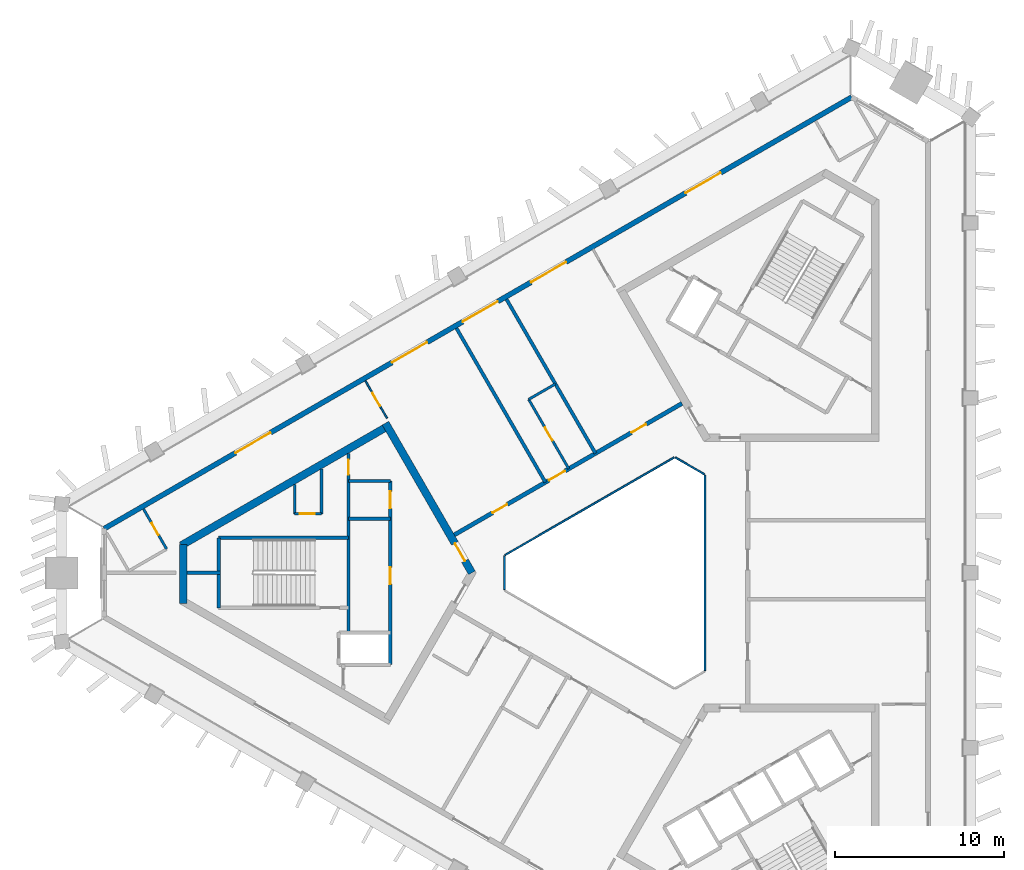
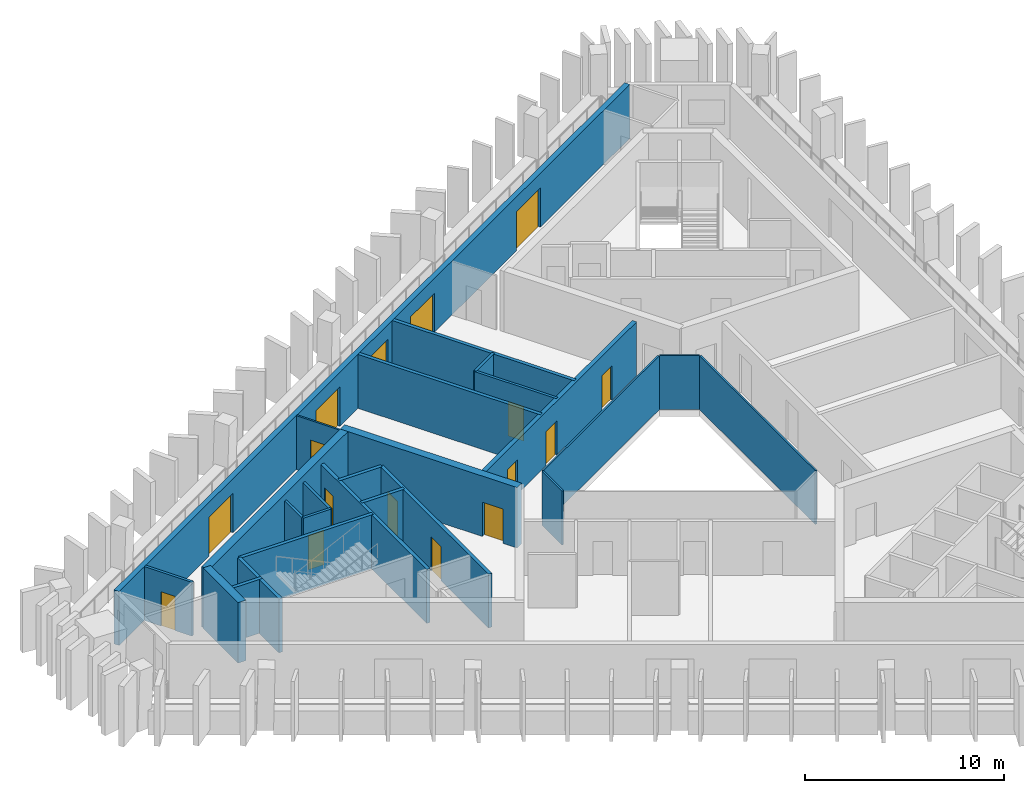
# One storey, part 4 of 9: 25 walls, 16 doors, 16 openings.
"""IFC4 building model written with IfcOpenShell, lengths in metres."""

from ifc_helpers import new_model, si_unit, direction, frame, frame_2d, origin, place, context, subcontext, project, spatial, rectangle, extrude, material, layer, layer_set, type_object, element, fill, save


model = new_model("IFC4")

# Units and contexts
model_context = context("Model", 3, precision=1e-05, world=origin(), true_north=direction((0.0, 1.0)))
body_context = subcontext(model_context, "Body", "Model", "MODEL_VIEW")
ifc_project = project(units=[si_unit("LENGTHUNIT", "METRE"), si_unit("AREAUNIT", "SQUARE_METRE"), si_unit("VOLUMEUNIT", "CUBIC_METRE"), si_unit("PLANEANGLEUNIT", "RADIAN"), si_unit("MASSUNIT", "GRAM", prefix="KILO")], contexts=[model_context])

# Site, building, storey
site_placement = place(None, origin())
site = spatial("IfcSite", under=ifc_project, at=site_placement, CompositionType="ELEMENT")
building_placement = place(site_placement, origin())
building = spatial("IfcBuilding", under=site, at=building_placement, Name="Jabali Bay Hotel Tower and Convention Centre", CompositionType="ELEMENT")
storey_placement = place(building_placement, frame((0.0, 0.0, 213.199951171875)))
storey = spatial("IfcBuildingStorey", under=building, at=storey_placement, Name="L52", CompositionType="ELEMENT", Elevation=213.199951171875)

# Walls
ifc_material_1 = material(Name="Fire-resistant glazing", Category="glass")
ifc_layer_1 = layer(ifc_material_1, 0.10009765625)
ifc_layer_set_1 = layer_set([ifc_layer_1], Name="Fire-resistant glazing")
wall_type_1 = type_object("IfcWallType", Name="Atrium glazed screen 100", PredefinedType="PARTITIONING", material=ifc_layer_set_1)
wall_1_placement = place(storey_placement, frame((79.56005859375, 74.205810546875, 0.0), z_axis=(0.0, 0.0, 1.0), x_axis=(0.0, 1.0, 0.0)))
element("IfcWall", 1, at=wall_1_placement, inside=storey, type_object=wall_type_1, Name="Atrium screen 1 L52", PredefinedType="PARTITIONING", context=body_context, shape_type="SweptSolid", body=[
    extrude(rectangle(XDim=11.58837890625, YDim=0.10009765625, at=frame_2d((5.794189453125, 0.0))), origin(), (0.0, 0.0, 1.0), 3.300048828125),
])
wall_2_placement = place(storey_placement, frame((79.530029296875, 85.84619140625, 0.0), z_axis=(0.0, 0.0, 1.0), x_axis=(-0.866041268327, 0.499972520799, 0.0)))
element("IfcWall", 2, at=wall_2_placement, inside=storey, type_object=wall_type_1, Name="Atrium screen 2 L52", PredefinedType="PARTITIONING", context=body_context, shape_type="SweptSolid", body=[
    extrude(rectangle(XDim=2.0, YDim=0.10009765625, at=frame_2d((1.0, 0.0))), origin(), (0.0, 0.0, 1.0), 3.300048828125),
])
wall_3_placement = place(storey_placement, frame((77.738037109375, 86.84619140625, 0.0), z_axis=(0.0, 0.0, 1.0), x_axis=(-0.866026658274, -0.499997827154, 0.0)))
element("IfcWall", 3, at=wall_3_placement, inside=storey, type_object=wall_type_1, Name="Atrium screen 3 L52", PredefinedType="PARTITIONING", context=body_context, shape_type="SweptSolid", body=[
    extrude(rectangle(XDim=11.58837890625, YDim=0.10009765625, at=frame_2d((5.794189453125, 0.0))), origin(), (0.0, 0.0, 1.0), 3.300048828125),
])
wall_4_placement = place(storey_placement, frame((67.672119140625, 81.0, 0.0), z_axis=(0.0, 0.0, 1.0), x_axis=(0.0, -1.0, 0.0)))
element("IfcWall", 4, at=wall_4_placement, inside=storey, type_object=wall_type_1, Name="Atrium screen 4 L52", PredefinedType="PARTITIONING", context=body_context, shape_type="SweptSolid", body=[
    extrude(rectangle(XDim=2.0, YDim=0.10009765625, at=frame_2d((1.0, 0.0))), origin(), (0.0, 0.0, 1.0), 3.300048828125),
])
ifc_material_2 = material(Name="Concrete C40", Category="concrete")
ifc_layer_2 = layer(ifc_material_2, 0.199951171875)
ifc_layer_set_2 = layer_set([ifc_layer_2], Name="Concrete C40")
wall_type_2 = type_object("IfcWallType", Name="Core partition wall 200", PredefinedType="PARTITIONING", material=ifc_layer_set_2)
wall_5_placement = place(storey_placement, frame((50.820068359375, 80.0, 0.0), z_axis=(0.0, 0.0, 1.0), x_axis=(-1.0, 0.0, 0.0)))
element("IfcWall", 5, at=wall_5_placement, inside=storey, type_object=wall_type_2, Name="Core wall 0.4 L52", PredefinedType="PARTITIONING", context=body_context, shape_type="SweptSolid", body=[
    extrude(rectangle(XDim=1.97314453125, YDim=0.199951171875, at=frame_2d((0.986572265625, 0.0))), origin(), (0.0, 0.0, 1.0), 3.300048828125),
])

# Wall, opening, door
ifc_material_3 = material(Name="Fire-rated board partition")
ifc_layer_3 = layer(ifc_material_3, 0.14990234375)
ifc_layer_set_3 = layer_set([ifc_layer_3], Name="Fire-rated board partition")
wall_type_3 = type_object("IfcWallType", Name="Core room partition 150", PredefinedType="PARTITIONING", material=ifc_layer_set_3)
wall_6_placement = place(storey_placement, frame((56.820068359375, 83.5, 0.0), z_axis=(0.0, 0.0, 1.0), x_axis=(-1.0, 0.0, 0.0)))
wall_6 = element("IfcWall", 6, at=wall_6_placement, inside=storey, type_object=wall_type_3, Name="Core wall 0.1 L52", PredefinedType="PARTITIONING", context=body_context, shape_type="SweptSolid", body=[
    extrude(rectangle(XDim=1.60009765625, YDim=0.14990234375, at=frame_2d((0.800048828125, 0.0))), origin(), (0.0, 0.0, 1.0), 3.300048828125),
])
opening_1_placement = place(wall_6_placement, frame((0.387451171875, 0.0, 0.0)))
opening_1 = element("IfcOpeningElement", 7, at=opening_1_placement, cuts=wall_6, Name="Opening D1125", PredefinedType="OPENING", context=body_context, shape_type="SweptSolid", body=[
    extrude(rectangle(XDim=0.89990234375, YDim=2.10009765625, at=frame_2d((0.449951171875, 1.050048828125))), frame((0.0, 0.08544921875, 0.0), z_axis=(0.0, -1.0, 0.0), x_axis=(1.0, 0.0, 0.0)), (0.0, 0.0, 1.0), 0.1708984375),
])
ifc_material_4 = material(Name="Fire-rated steel door", Category="steel")
door_type_1 = type_object("IfcDoorType", Name="Core room door 900 x 2100", OperationType="NOTDEFINED", PredefinedType="NOTDEFINED", material=ifc_material_4)
door_1_placement = place(opening_1_placement, origin())
door_1 = element("IfcDoor", 8, at=door_1_placement, inside=storey, type_object=door_type_1, Name="Core room door D1125", OperationType="SINGLE_SWING_LEFT", OverallHeight=2.10009765625, OverallWidth=0.89990234375, PredefinedType="NOTDEFINED", context=body_context, shape_type="SweptSolid", body=[
    extrude(rectangle(XDim=0.89990234375, YDim=2.10009765625, at=frame_2d((0.449951171875, 1.050048828125))), frame((0.0, 0.02490234375, 0.0), z_axis=(0.0, -1.0, 0.0), x_axis=(1.0, 0.0, 0.0)), (0.0, 0.0, 1.0), 0.050048828125),
])
fill(opening_1, door_1)

# Walls
wall_7_placement = place(storey_placement, frame((56.820068359375, 86.166015625, 0.0), z_axis=(0.0, 0.0, 1.0), x_axis=(0.0, -1.0, 0.0)))
element("IfcWall", 9, at=wall_7_placement, inside=storey, type_object=wall_type_3, Name="Core wall 0.12 L52", PredefinedType="PARTITIONING", context=body_context, shape_type="SweptSolid", body=[
    extrude(rectangle(XDim=2.666015625, YDim=0.14990234375, at=frame_2d((1.3330078125, 0.0))), origin(), (0.0, 0.0, 1.0), 3.300048828125),
])
wall_8_placement = place(storey_placement, frame((55.219970703125, 85.2421875, 0.0), z_axis=(0.0, 0.0, 1.0), x_axis=(0.0, -1.0, 0.0)))
element("IfcWall", 10, at=wall_8_placement, inside=storey, type_object=wall_type_3, Name="Core wall 0.13 L52", PredefinedType="PARTITIONING", context=body_context, shape_type="SweptSolid", body=[
    extrude(rectangle(XDim=1.7421875, YDim=0.14990234375, at=frame_2d((0.87109375, 0.0))), origin(), (0.0, 0.0, 1.0), 3.300048828125),
])
ifc_layer_4 = layer(ifc_material_2, 0.199951171875)
ifc_layer_set_4 = layer_set([ifc_layer_4], Name="Concrete C40")
wall_type_4 = type_object("IfcWallType", Name="Core stair wall 200", PredefinedType="SOLIDWALL", material=ifc_layer_set_4)
for number, where, z_axis, x_axis, name in (
    (11, (60.89990234375, 85.449951171875, 0.0), (0.0, 0.0, 1.0), (-1.0, 0.0, 0.0), "Core wall 0.0 L52"),
    (12, (60.89990234375, 83.199951171875, 0.0), (0.0, 0.0, 1.0), (-1.0, 0.0, 0.0), "Core wall 0.2 L52"),
):
    element("IfcWall", number, at=place(storey_placement, frame(where, z_axis=z_axis, x_axis=x_axis)), inside=storey, type_object=wall_type_4, Name=name, PredefinedType="SOLIDWALL", context=body_context, shape_type="SweptSolid", body=[
        extrude(rectangle(XDim=2.47998046875, YDim=0.199951171875, at=frame_2d((1.239990234375, 0.0))), origin(), (0.0, 0.0, 1.0), 3.300048828125),
    ])
wall_9_placement = place(storey_placement, frame((58.419921875, 82.074951171875, 0.0), z_axis=(0.0, 0.0, 1.0), x_axis=(-1.0, 0.0, 0.0)))
element("IfcWall", 13, at=wall_9_placement, inside=storey, type_object=wall_type_4, Name="Core wall 0.3 L52", PredefinedType="SOLIDWALL", context=body_context, shape_type="SweptSolid", body=[
    extrude(rectangle(XDim=7.699951171875, YDim=0.199951171875, at=frame_2d((3.85009765625, 0.0))), origin(), (0.0, 0.0, 1.0), 3.300048828125),
])

# Wall, openings, doors
wall_10_placement = place(storey_placement, frame((60.89990234375, 85.449951171875, 0.0), z_axis=(0.0, 0.0, 1.0), x_axis=(0.0, -1.0, 0.0)))
wall_10 = element("IfcWall", 14, at=wall_10_placement, inside=storey, type_object=wall_type_4, Name="Core wall 0.8 L52", PredefinedType="SOLIDWALL", context=body_context, shape_type="SweptSolid", body=[
    extrude(rectangle(XDim=10.89990234375, YDim=0.199951171875, at=frame_2d((5.449951171875, 0.0))), origin(), (0.0, 0.0, 1.0), 3.300048828125),
])
opening_2_placement = place(wall_10_placement, frame((0.625, 0.0, 0.0)))
opening_2 = element("IfcOpeningElement", 15, at=opening_2_placement, cuts=wall_10, Name="Opening D1120", PredefinedType="OPENING", context=body_context, shape_type="SweptSolid", body=[
    extrude(rectangle(XDim=1.0, YDim=2.10009765625, at=frame_2d((0.5, 1.050048828125))), frame((0.0, 0.1103515625, 0.0), z_axis=(0.0, -1.0, 0.0), x_axis=(1.0, 0.0, 0.0)), (0.0, 0.0, 1.0), 0.220947265625),
])
opening_3_placement = place(wall_10_placement, frame((5.125, 0.0, 0.0)))
opening_3 = element("IfcOpeningElement", 16, at=opening_3_placement, cuts=wall_10, Name="Opening D1121", PredefinedType="OPENING", context=body_context, shape_type="SweptSolid", body=[
    extrude(rectangle(XDim=1.0, YDim=2.10009765625, at=frame_2d((0.5, 1.050048828125))), frame((0.0, 0.1103515625, 0.0), z_axis=(0.0, -1.0, 0.0), x_axis=(1.0, 0.0, 0.0)), (0.0, 0.0, 1.0), 0.220947265625),
])
door_type_2 = type_object("IfcDoorType", Name="Core room door 1000 x 2100", OperationType="NOTDEFINED", PredefinedType="NOTDEFINED", material=ifc_material_4)
door_2_placement = place(opening_2_placement, origin())
door_2 = element("IfcDoor", 17, at=door_2_placement, inside=storey, type_object=door_type_2, Name="Core room door D1120", OperationType="SINGLE_SWING_RIGHT", OverallHeight=2.10009765625, OverallWidth=1.0, PredefinedType="NOTDEFINED", context=body_context, shape_type="SweptSolid", body=[
    extrude(rectangle(XDim=1.0, YDim=2.10009765625, at=frame_2d((0.5, 1.050048828125))), frame((0.0, 0.02490234375, 0.0), z_axis=(0.0, -1.0, 0.0), x_axis=(1.0, 0.0, 0.0)), (0.0, 0.0, 1.0), 0.050048828125),
])
fill(opening_2, door_2)
door_3_placement = place(opening_3_placement, origin())
door_3 = element("IfcDoor", 18, at=door_3_placement, inside=storey, type_object=door_type_2, Name="Core room door D1121", OperationType="SINGLE_SWING_RIGHT", OverallHeight=2.10009765625, OverallWidth=1.0, PredefinedType="NOTDEFINED", context=body_context, shape_type="SweptSolid", body=[
    extrude(rectangle(XDim=1.0, YDim=2.10009765625, at=frame_2d((0.5, 1.050048828125))), frame((0.0, 0.02490234375, 0.0), z_axis=(0.0, -1.0, 0.0), x_axis=(1.0, 0.0, 0.0)), (0.0, 0.0, 1.0), 0.050048828125),
])
fill(opening_3, door_3)

# Wall, opening, door
wall_11_placement = place(storey_placement, frame((58.419921875, 87.08984375, 0.0), z_axis=(0.0, 0.0, 1.0), x_axis=(0.0, -1.0, 0.0)))
wall_11 = element("IfcWall", 19, at=wall_11_placement, inside=storey, type_object=wall_type_4, Name="Core wall 0.9 L52", PredefinedType="SOLIDWALL", context=body_context, shape_type="SweptSolid", body=[
    extrude(rectangle(XDim=10.639892578125, YDim=0.199951171875, at=frame_2d((5.31982421875, 0.0))), origin(), (0.0, 0.0, 1.0), 3.300048828125),
])
opening_4_placement = place(wall_11_placement, frame((0.369873046875, 0.0, 0.0)))
opening_4 = element("IfcOpeningElement", 20, at=opening_4_placement, cuts=wall_11, Name="Opening D1123", PredefinedType="OPENING", context=body_context, shape_type="SweptSolid", body=[
    extrude(rectangle(XDim=0.89990234375, YDim=2.10009765625, at=frame_2d((0.449951171875, 1.050048828125))), frame((0.0, 0.1103515625, 0.0), z_axis=(0.0, -1.0, 0.0), x_axis=(1.0, 0.0, 0.0)), (0.0, 0.0, 1.0), 0.220947265625),
])
door_type_3 = type_object("IfcDoorType", Name="Vestibule fire door 900 x 2100", OperationType="NOTDEFINED", PredefinedType="NOTDEFINED", material=ifc_material_4)
door_4_placement = place(opening_4_placement, origin())
door_4 = element("IfcDoor", 21, at=door_4_placement, inside=storey, type_object=door_type_3, Name="Vestibule fire door D1123", OperationType="SINGLE_SWING_LEFT", OverallHeight=2.10009765625, OverallWidth=0.89990234375, PredefinedType="NOTDEFINED", context=body_context, shape_type="SweptSolid", body=[
    extrude(rectangle(XDim=0.89990234375, YDim=2.10009765625, at=frame_2d((0.449951171875, 1.050048828125))), frame((0.0, 0.02490234375, 0.0), z_axis=(0.0, -1.0, 0.0), x_axis=(1.0, 0.0, 0.0)), (0.0, 0.0, 1.0), 0.050048828125),
])
fill(opening_4, door_4)

# Wall
wall_12_placement = place(storey_placement, frame((50.719970703125, 82.074951171875, 0.0), z_axis=(0.0, 0.0, 1.0), x_axis=(0.0, -1.0, 0.0)))
element("IfcWall", 22, at=wall_12_placement, inside=storey, type_object=wall_type_4, Name="Core wall 0.14 L52", PredefinedType="SOLIDWALL", context=body_context, shape_type="SweptSolid", body=[
    extrude(rectangle(XDim=4.14990234375, YDim=0.199951171875, at=frame_2d((2.074951171875, 0.0))), origin(), (0.0, 0.0, 1.0), 3.300048828125),
])

# Wall, opening, door
ifc_material_5 = material(Name="Concrete C60", Category="concrete")
ifc_layer_5 = layer(ifc_material_5, 0.449951171875)
ifc_layer_set_5 = layer_set([ifc_layer_5], Name="Concrete C60")
wall_type_5 = type_object("IfcWallType", Name="Core wall 450", PredefinedType="SHEAR", material=ifc_layer_set_5)
wall_13_placement = place(storey_placement, frame((65.740234375, 80.0, 0.0), z_axis=(0.0, 0.0, 1.0), x_axis=(-0.499991857942, 0.866030104553, 0.0)))
wall_13 = element("IfcWall", 23, at=wall_13_placement, inside=storey, type_object=wall_type_5, Name="Core wall 1.1 L52", PredefinedType="SHEAR", context=body_context, shape_type="SweptSolid", body=[
    extrude(rectangle(XDim=10.250244140625, YDim=0.449951171875, at=frame_2d((5.125, 0.0))), origin(), (0.0, 0.0, 1.0), 3.699951171875),
])
opening_5_placement = place(wall_13_placement, frame((0.820068359375, 0.0, 0.0)))
opening_5 = element("IfcOpeningElement", 24, at=opening_5_placement, cuts=wall_13, Name="Opening D1118", PredefinedType="OPENING", context=body_context, shape_type="SweptSolid", body=[
    extrude(rectangle(XDim=1.199951171875, YDim=2.10009765625, at=frame_2d((0.60009765625, 1.050048828125))), frame((0.0, 0.2353515625, 0.0), z_axis=(0.0, -1.0, 0.0), x_axis=(1.0, 0.0, 0.0)), (0.0, 0.0, 1.0), 0.470947265625),
])
door_type_4 = type_object("IfcDoorType", Name="Corridor end fire door 1200 x 2100", OperationType="NOTDEFINED", PredefinedType="NOTDEFINED", material=ifc_material_4)
door_5_placement = place(opening_5_placement, origin())
door_5 = element("IfcDoor", 25, at=door_5_placement, inside=storey, type_object=door_type_4, Name="Corridor end fire door D1118", OperationType="SINGLE_SWING_RIGHT", OverallHeight=2.10009765625, OverallWidth=1.199951171875, PredefinedType="NOTDEFINED", context=body_context, shape_type="SweptSolid", body=[
    extrude(rectangle(XDim=1.199951171875, YDim=2.10009765625, at=frame_2d((0.60009765625, 1.050048828125))), frame((0.0, 0.02490234375, 0.0), z_axis=(0.0, -1.0, 0.0), x_axis=(1.0, 0.0, 0.0)), (0.0, 0.0, 1.0), 0.050048828125),
])
fill(opening_5, door_5)

# Walls
wall_14_placement = place(storey_placement, frame((60.7275390625, 88.681884765625, 0.0), z_axis=(0.0, 0.0, 1.0), x_axis=(-0.866021613849, -0.500006564303, 0.0)))
element("IfcWall", 26, at=wall_14_placement, inside=storey, type_object=wall_type_5, Name="Core wall 1.2 L52", PredefinedType="SHEAR", context=body_context, shape_type="SweptSolid", body=[
    extrude(rectangle(XDim=14.108154296875, YDim=0.449951171875, at=frame_2d((7.05419921875, 0.0))), origin(), (0.0, 0.0, 1.0), 3.699951171875),
])
wall_15_placement = place(storey_placement, frame((48.621826171875, 81.692626953125, 0.0), z_axis=(0.0, 0.0, 1.0), x_axis=(0.0, -1.0, 0.0)))
element("IfcWall", 27, at=wall_15_placement, inside=storey, type_object=wall_type_5, Name="Core wall 1.3 L52", PredefinedType="SHEAR", context=body_context, shape_type="SweptSolid", body=[
    extrude(rectangle(XDim=3.515380859375, YDim=0.449951171875, at=frame_2d((1.7578125, 0.0))), origin(), (0.0, 0.0, 1.0), 3.699951171875),
])

# Wall, openings, doors
ifc_layer_6 = layer(ifc_material_5, 0.25)
ifc_layer_set_6 = layer_set([ifc_layer_6], Name="Concrete C60")
wall_type_6 = type_object("IfcWallType", Name="Corridor wall 250", PredefinedType="SHEAR", material=ifc_layer_set_6)
wall_16_placement = place(storey_placement, frame((78.199951171875, 90.0458984375, 0.0), z_axis=(0.0, 0.0, 1.0), x_axis=(-0.866026492143, -0.499998114903, 0.0)))
wall_16 = element("IfcWall", 28, at=wall_16_placement, inside=storey, type_object=wall_type_6, Name="Corridor wall 2 L52", PredefinedType="SHEAR", context=body_context, shape_type="SweptSolid", body=[
    extrude(rectangle(XDim=15.58837890625, YDim=0.25, at=frame_2d((7.794189453125, 0.0))), origin(), (0.0, 0.0, 1.0), 3.300048828125),
])
opening_6_placement = place(wall_16_placement, frame((2.4619140625, 0.0, 0.0)))
opening_6 = element("IfcOpeningElement", 29, at=opening_6_placement, cuts=wall_16, Name="Opening 5206", PredefinedType="OPENING", context=body_context, shape_type="SweptSolid", body=[
    extrude(rectangle(XDim=1.0, YDim=2.10009765625, at=frame_2d((0.5, 1.050048828125))), frame((0.0, 0.135498046875, 0.0), z_axis=(0.0, -1.0, 0.0), x_axis=(1.0, 0.0, 0.0)), (0.0, 0.0, 1.0), 0.27099609375),
])
opening_7_placement = place(wall_16_placement, frame((8.003173828125, 0.0, 0.0)))
opening_7 = element("IfcOpeningElement", 30, at=opening_7_placement, cuts=wall_16, Name="Opening 5210", PredefinedType="OPENING", context=body_context, shape_type="SweptSolid", body=[
    extrude(rectangle(XDim=1.10009765625, YDim=2.10009765625, at=frame_2d((0.550048828125, 1.050048828125))), frame((0.0, 0.135498046875, 0.0), z_axis=(0.0, -1.0, 0.0), x_axis=(1.0, 0.0, 0.0)), (0.0, 0.0, 1.0), 0.27099609375),
])
opening_8_placement = place(wall_16_placement, frame((11.970703125, 0.0, 0.0)))
opening_8 = element("IfcOpeningElement", 31, at=opening_8_placement, cuts=wall_16, Name="Opening 5211", PredefinedType="OPENING", context=body_context, shape_type="SweptSolid", body=[
    extrude(rectangle(XDim=1.0, YDim=2.10009765625, at=frame_2d((0.5, 1.050048828125))), frame((0.0, 0.135498046875, 0.0), z_axis=(0.0, -1.0, 0.0), x_axis=(1.0, 0.0, 0.0)), (0.0, 0.0, 1.0), 0.27099609375),
])
ifc_material_6 = material(Name="Timber", Category="wood")
door_type_5 = type_object("IfcDoorType", Name="Accessible guest room door 1100 x 2100", OperationType="NOTDEFINED", PredefinedType="NOTDEFINED", material=ifc_material_6)
door_6_placement = place(opening_7_placement, origin())
door_6 = element("IfcDoor", 32, at=door_6_placement, inside=storey, type_object=door_type_5, Name="Door 5210", OperationType="SINGLE_SWING_RIGHT", OverallHeight=2.10009765625, OverallWidth=1.10009765625, PredefinedType="NOTDEFINED", context=body_context, shape_type="SweptSolid", body=[
    extrude(rectangle(XDim=1.10009765625, YDim=2.10009765625, at=frame_2d((0.550048828125, 1.050048828125))), frame((0.0, 0.02490234375, 0.0), z_axis=(0.0, -1.0, 0.0), x_axis=(1.0, 0.0, 0.0)), (0.0, 0.0, 1.0), 0.050048828125),
])
fill(opening_7, door_6)
door_type_6 = type_object("IfcDoorType", Name="Guest room door 1000 x 2100", OperationType="NOTDEFINED", PredefinedType="NOTDEFINED", material=ifc_material_6)
door_7_placement = place(opening_6_placement, origin())
door_7 = element("IfcDoor", 33, at=door_7_placement, inside=storey, type_object=door_type_6, Name="Door 5206", OperationType="SINGLE_SWING_LEFT", OverallHeight=2.10009765625, OverallWidth=1.0, PredefinedType="NOTDEFINED", context=body_context, shape_type="SweptSolid", body=[
    extrude(rectangle(XDim=1.0, YDim=2.10009765625, at=frame_2d((0.5, 1.050048828125))), frame((0.0, 0.02490234375, 0.0), z_axis=(0.0, -1.0, 0.0), x_axis=(1.0, 0.0, 0.0)), (0.0, 0.0, 1.0), 0.050048828125),
])
fill(opening_6, door_7)
door_8_placement = place(opening_8_placement, origin())
door_8 = element("IfcDoor", 34, at=door_8_placement, inside=storey, type_object=door_type_6, Name="Door 5211", OperationType="SINGLE_SWING_RIGHT", OverallHeight=2.10009765625, OverallWidth=1.0, PredefinedType="NOTDEFINED", context=body_context, shape_type="SweptSolid", body=[
    extrude(rectangle(XDim=1.0, YDim=2.10009765625, at=frame_2d((0.5, 1.050048828125))), frame((0.0, 0.02490234375, 0.0), z_axis=(0.0, -1.0, 0.0), x_axis=(1.0, 0.0, 0.0)), (0.0, 0.0, 1.0), 0.050048828125),
])
fill(opening_8, door_8)

ifc_layer_7 = layer(ifc_material_2, 0.300048828125)
ifc_layer_set_7 = layer_set([ifc_layer_7], Name="Concrete C40")
wall_type_7 = type_object("IfcWallType", Name="External wall 300", PredefinedType="SOLIDWALL", material=ifc_layer_set_7)
wall_17_placement = place(storey_placement, frame((43.9326171875, 82.61865234375, 0.0), z_axis=(0.0, 0.0, 1.0), x_axis=(0.866026349667, 0.49999836168, 0.0)))
wall_17 = element("IfcWall", 35, at=wall_17_placement, inside=storey, type_object=wall_type_7, Name="External wall north-west face L52", PredefinedType="SOLIDWALL", context=body_context, shape_type="SweptSolid", body=[
    extrude(rectangle(XDim=51.191650390625, YDim=0.300048828125, at=frame_2d((25.595703125, 0.0))), origin(), (0.0, 0.0, 1.0), 3.300048828125),
])
opening_9_placement = place(wall_17_placement, frame((24.5517578125, 0.0, 0.0)))
opening_9 = element("IfcOpeningElement", 36, at=opening_9_placement, cuts=wall_17, Name="Opening SD1", PredefinedType="OPENING", context=body_context, shape_type="SweptSolid", body=[
    extrude(rectangle(XDim=2.39990234375, YDim=2.39990234375, at=frame_2d((1.199951171875, 1.199951171875))), frame((0.0, 0.16064453125, 0.0), z_axis=(0.0, -1.0, 0.0), x_axis=(1.0, 0.0, 0.0)), (0.0, 0.0, 1.0), 0.321044921875),
])
opening_10_placement = place(wall_17_placement, frame((29.228271484375, 0.0, 0.0)))
opening_10 = element("IfcOpeningElement", 37, at=opening_10_placement, cuts=wall_17, Name="Opening SD1", PredefinedType="OPENING", context=body_context, shape_type="SweptSolid", body=[
    extrude(rectangle(XDim=2.39990234375, YDim=2.39990234375, at=frame_2d((1.199951171875, 1.199951171875))), frame((0.0, 0.16064453125, 0.0), z_axis=(0.0, -1.0, 0.0), x_axis=(1.0, 0.0, 0.0)), (0.0, 0.0, 1.0), 0.321044921875),
])
opening_11_placement = place(wall_17_placement, frame((39.8193359375, 0.0, 0.0)))
opening_11 = element("IfcOpeningElement", 38, at=opening_11_placement, cuts=wall_17, Name="Opening SD1", PredefinedType="OPENING", context=body_context, shape_type="SweptSolid", body=[
    extrude(rectangle(XDim=2.39990234375, YDim=2.39990234375, at=frame_2d((1.199951171875, 1.199951171875))), frame((0.0, 0.16064453125, 0.0), z_axis=(0.0, -1.0, 0.0), x_axis=(1.0, 0.0, 0.0)), (0.0, 0.0, 1.0), 0.321044921875),
])
opening_12_placement = place(wall_17_placement, frame((19.71923828125, 0.0, 0.0)))
opening_12 = element("IfcOpeningElement", 39, at=opening_12_placement, cuts=wall_17, Name="Opening SD1", PredefinedType="OPENING", context=body_context, shape_type="SweptSolid", body=[
    extrude(rectangle(XDim=2.39990234375, YDim=2.39990234375, at=frame_2d((1.199951171875, 1.199951171875))), frame((0.0, 0.16064453125, 0.0), z_axis=(0.0, -1.0, 0.0), x_axis=(1.0, 0.0, 0.0)), (0.0, 0.0, 1.0), 0.321044921875),
])
opening_13_placement = place(wall_17_placement, frame((8.99267578125, 0.0, 0.0)))
opening_13 = element("IfcOpeningElement", 40, at=opening_13_placement, cuts=wall_17, Name="Opening SD1", PredefinedType="OPENING", context=body_context, shape_type="SweptSolid", body=[
    extrude(rectangle(XDim=2.39990234375, YDim=2.39990234375, at=frame_2d((1.199951171875, 1.199951171875))), frame((0.0, 0.16064453125, 0.0), z_axis=(0.0, -1.0, 0.0), x_axis=(1.0, 0.0, 0.0)), (0.0, 0.0, 1.0), 0.321044921875),
])
ifc_material_7 = material(Name="Glass", Category="glass")
door_type_7 = type_object("IfcDoorType", Name="Loggia sliding door 2400 x 2400", OperationType="NOTDEFINED", PredefinedType="NOTDEFINED", material=ifc_material_7)
door_9_placement = place(opening_9_placement, origin())
door_9 = element("IfcDoor", 41, at=door_9_placement, inside=storey, type_object=door_type_7, Name="Loggia sliding door 5204", OperationType="SLIDING_TO_LEFT", OverallHeight=2.39990234375, OverallWidth=2.39990234375, PredefinedType="NOTDEFINED", context=body_context, shape_type="SweptSolid", body=[
    extrude(rectangle(XDim=2.39990234375, YDim=2.39990234375, at=frame_2d((1.199951171875, 1.199951171875))), frame((0.0, 0.02490234375, 0.0), z_axis=(0.0, -1.0, 0.0), x_axis=(1.0, 0.0, 0.0)), (0.0, 0.0, 1.0), 0.050048828125),
])
fill(opening_9, door_9)
door_10_placement = place(opening_10_placement, origin())
door_10 = element("IfcDoor", 42, at=door_10_placement, inside=storey, type_object=door_type_7, Name="Loggia sliding door 5203", OperationType="SLIDING_TO_RIGHT", OverallHeight=2.39990234375, OverallWidth=2.39990234375, PredefinedType="NOTDEFINED", context=body_context, shape_type="SweptSolid", body=[
    extrude(rectangle(XDim=2.39990234375, YDim=2.39990234375, at=frame_2d((1.199951171875, 1.199951171875))), frame((0.0, 0.02490234375, 0.0), z_axis=(0.0, -1.0, 0.0), x_axis=(1.0, 0.0, 0.0)), (0.0, 0.0, 1.0), 0.050048828125),
])
fill(opening_10, door_10)
door_11_placement = place(opening_11_placement, origin())
door_11 = element("IfcDoor", 43, at=door_11_placement, inside=storey, type_object=door_type_7, Name="Loggia sliding door 5203", OperationType="SLIDING_TO_LEFT", OverallHeight=2.39990234375, OverallWidth=2.39990234375, PredefinedType="NOTDEFINED", context=body_context, shape_type="SweptSolid", body=[
    extrude(rectangle(XDim=2.39990234375, YDim=2.39990234375, at=frame_2d((1.199951171875, 1.199951171875))), frame((0.0, 0.02490234375, 0.0), z_axis=(0.0, -1.0, 0.0), x_axis=(1.0, 0.0, 0.0)), (0.0, 0.0, 1.0), 0.050048828125),
])
fill(opening_11, door_11)
door_12_placement = place(opening_12_placement, origin())
door_12 = element("IfcDoor", 44, at=door_12_placement, inside=storey, type_object=door_type_7, Name="Loggia sliding door 5205", OperationType="SLIDING_TO_RIGHT", OverallHeight=2.39990234375, OverallWidth=2.39990234375, PredefinedType="NOTDEFINED", context=body_context, shape_type="SweptSolid", body=[
    extrude(rectangle(XDim=2.39990234375, YDim=2.39990234375, at=frame_2d((1.199951171875, 1.199951171875))), frame((0.0, 0.02490234375, 0.0), z_axis=(0.0, -1.0, 0.0), x_axis=(1.0, 0.0, 0.0)), (0.0, 0.0, 1.0), 0.050048828125),
])
fill(opening_12, door_12)
door_13_placement = place(opening_13_placement, origin())
door_13 = element("IfcDoor", 45, at=door_13_placement, inside=storey, type_object=door_type_7, Name="Loggia sliding door 5205", OperationType="SLIDING_TO_LEFT", OverallHeight=2.39990234375, OverallWidth=2.39990234375, PredefinedType="NOTDEFINED", context=body_context, shape_type="SweptSolid", body=[
    extrude(rectangle(XDim=2.39990234375, YDim=2.39990234375, at=frame_2d((1.199951171875, 1.199951171875))), frame((0.0, 0.02490234375, 0.0), z_axis=(0.0, -1.0, 0.0), x_axis=(1.0, 0.0, 0.0)), (0.0, 0.0, 1.0), 0.050048828125),
])
fill(opening_13, door_13)

# Wall, opening, door
ifc_material_8 = material(Name="Plasterboard on steel stud", Category="steel")
ifc_layer_8 = layer(ifc_material_8, 0.10009765625)
ifc_layer_set_8 = layer_set([ifc_layer_8], Name="Plasterboard on steel stud")
wall_type_8 = type_object("IfcWallType", Name="Partition 100 unit", PredefinedType="PARTITIONING", material=ifc_layer_set_8)
wall_18_placement = place(storey_placement, frame((59.423828125, 91.390380859375, 0.0), z_axis=(0.0, 0.0, 1.0), x_axis=(0.49995513091, -0.866051307416, 0.0)))
wall_18 = element("IfcWall", 46, at=wall_18_placement, inside=storey, type_object=wall_type_8, Name="Partition P02 L52 017", PredefinedType="PARTITIONING", context=body_context, shape_type="SweptSolid", body=[
    extrude(rectangle(XDim=2.573486328125, YDim=0.10009765625, at=frame_2d((1.28662109375, 0.0))), origin(), (0.0, 0.0, 1.0), 3.300048828125),
])
opening_14_placement = place(wall_18_placement, frame((0.8369140625, 0.0, 0.0)))
opening_14 = element("IfcOpeningElement", 47, at=opening_14_placement, cuts=wall_18, Name="Opening 5212", PredefinedType="OPENING", context=body_context, shape_type="SweptSolid", body=[
    extrude(rectangle(XDim=0.89990234375, YDim=2.10009765625, at=frame_2d((0.449951171875, 1.050048828125))), frame((0.0, 0.060546875, 0.0), z_axis=(0.0, -1.0, 0.0), x_axis=(1.0, 0.0, 0.0)), (0.0, 0.0, 1.0), 0.12109375),
])
door_type_8 = type_object("IfcDoorType", Name="Internal door 900 x 2100", OperationType="NOTDEFINED", PredefinedType="NOTDEFINED", material=ifc_material_6)
door_14_placement = place(opening_14_placement, origin())
door_14 = element("IfcDoor", 48, at=door_14_placement, inside=storey, type_object=door_type_8, Name="Door 5212", OperationType="SINGLE_SWING_RIGHT", OverallHeight=2.10009765625, OverallWidth=0.89990234375, PredefinedType="NOTDEFINED", context=body_context, shape_type="SweptSolid", body=[
    extrude(rectangle(XDim=0.89990234375, YDim=2.10009765625, at=frame_2d((0.449951171875, 1.050048828125))), frame((0.0, 0.02490234375, 0.0), z_axis=(0.0, -1.0, 0.0), x_axis=(1.0, 0.0, 0.0)), (0.0, 0.0, 1.0), 0.050048828125),
])
fill(opening_14, door_14)

ifc_layer_9 = layer(ifc_material_8, 0.14990234375)
ifc_layer_set_9 = layer_set([ifc_layer_9], Name="Plasterboard on steel stud")
wall_type_9 = type_object("IfcWallType", Name="Partition 150 wet", PredefinedType="PARTITIONING", material=ifc_layer_set_9)
wall_19_placement = place(storey_placement, frame((71.485595703125, 86.16943359375, 0.0), z_axis=(0.0, 0.0, 1.0), x_axis=(-0.499987613552, 0.866032554986, 0.0)))
wall_19 = element("IfcWall", 49, at=wall_19_placement, inside=storey, type_object=wall_type_9, Name="Partition P03 L52 014", PredefinedType="PARTITIONING", context=body_context, shape_type="SweptSolid", body=[
    extrude(rectangle(XDim=4.75537109375, YDim=0.14990234375, at=frame_2d((2.377685546875, 0.0))), origin(), (0.0, 0.0, 1.0), 3.300048828125),
])
opening_15_placement = place(wall_19_placement, frame((1.927978515625, 0.0, 0.0)))
opening_15 = element("IfcOpeningElement", 50, at=opening_15_placement, cuts=wall_19, Name="Opening 5209", PredefinedType="OPENING", context=body_context, shape_type="SweptSolid", body=[
    extrude(rectangle(XDim=0.89990234375, YDim=2.10009765625, at=frame_2d((0.449951171875, 1.050048828125))), frame((0.0, 0.08544921875, 0.0), z_axis=(0.0, -1.0, 0.0), x_axis=(1.0, 0.0, 0.0)), (0.0, 0.0, 1.0), 0.1708984375),
])
door_type_9 = type_object("IfcDoorType", Name="Accessible en-suite door 900 x 2100", OperationType="NOTDEFINED", PredefinedType="NOTDEFINED", material=ifc_material_6)
door_15_placement = place(opening_15_placement, origin())
door_15 = element("IfcDoor", 51, at=door_15_placement, inside=storey, type_object=door_type_9, Name="Door 5209", OperationType="SINGLE_SWING_LEFT", OverallHeight=2.10009765625, OverallWidth=0.89990234375, PredefinedType="NOTDEFINED", context=body_context, shape_type="SweptSolid", body=[
    extrude(rectangle(XDim=0.89990234375, YDim=2.10009765625, at=frame_2d((0.449951171875, 1.050048828125))), frame((0.0, 0.02490234375, 0.0), z_axis=(0.0, -1.0, 0.0), x_axis=(1.0, 0.0, 0.0)), (0.0, 0.0, 1.0), 0.050048828125),
])
fill(opening_15, door_15)

# Wall
wall_20_placement = place(storey_placement, frame((69.10791015625, 90.287841796875, 0.0), z_axis=(0.0, 0.0, 1.0), x_axis=(0.866050016054, 0.499957367875, 0.0)))
element("IfcWall", 52, at=wall_20_placement, inside=storey, type_object=wall_type_9, Name="Partition P03 L52 015", PredefinedType="PARTITIONING", context=body_context, shape_type="SweptSolid", body=[
    extrude(rectangle(XDim=1.829345703125, YDim=0.14990234375, at=frame_2d((0.91455078125, 0.0))), origin(), (0.0, 0.0, 1.0), 3.300048828125),
])

# Wall, opening, door
wall_21_placement = place(storey_placement, frame((46.26025390625, 83.790283203125, 0.0), z_axis=(0.0, 0.0, 1.0), x_axis=(0.500014382217, -0.866017100048, 0.0)))
wall_21 = element("IfcWall", 53, at=wall_21_placement, inside=storey, type_object=wall_type_9, Name="Partition P03 L52 018", PredefinedType="PARTITIONING", context=body_context, shape_type="SweptSolid", body=[
    extrude(rectangle(XDim=2.7509765625, YDim=0.14990234375, at=frame_2d((1.37548828125, 0.0))), origin(), (0.0, 0.0, 1.0), 3.300048828125),
])
opening_16_placement = place(wall_21_placement, frame((0.97509765625, 0.0, 0.0)))
opening_16 = element("IfcOpeningElement", 54, at=opening_16_placement, cuts=wall_21, Name="Opening 5213", PredefinedType="OPENING", context=body_context, shape_type="SweptSolid", body=[
    extrude(rectangle(XDim=0.800048828125, YDim=2.10009765625, at=frame_2d((0.39990234375, 1.050048828125))), frame((0.0, 0.08544921875, 0.0), z_axis=(0.0, -1.0, 0.0), x_axis=(1.0, 0.0, 0.0)), (0.0, 0.0, 1.0), 0.1708984375),
])
door_type_10 = type_object("IfcDoorType", Name="En-suite door 800 x 2100", OperationType="NOTDEFINED", PredefinedType="NOTDEFINED", material=ifc_material_6)
door_16_placement = place(opening_16_placement, origin())
door_16 = element("IfcDoor", 55, at=door_16_placement, inside=storey, type_object=door_type_10, Name="Door 5213", OperationType="SINGLE_SWING_RIGHT", OverallHeight=2.10009765625, OverallWidth=0.800048828125, PredefinedType="NOTDEFINED", context=body_context, shape_type="SweptSolid", body=[
    extrude(rectangle(XDim=0.800048828125, YDim=2.10009765625, at=frame_2d((0.39990234375, 1.050048828125))), frame((0.0, 0.02490234375, 0.0), z_axis=(0.0, -1.0, 0.0), x_axis=(1.0, 0.0, 0.0)), (0.0, 0.0, 1.0), 0.050048828125),
])
fill(opening_16, door_16)

# Walls
ifc_layer_10 = layer(ifc_material_8, 0.199951171875)
ifc_layer_set_10 = layer_set([ifc_layer_10], Name="Plasterboard on steel stud")
wall_type_10 = type_object("IfcWallType", Name="Partition 200 party", PredefinedType="PARTITIONING", material=ifc_layer_set_10)
for number, where, z_axis, x_axis, name in (
    (56, (67.793701171875, 96.22265625, 0.0), (0.0, 0.0, 1.0), (0.500010840071, -0.866019145176, 0.0), "Partition P01 L52 010"),
    (57, (64.82373046875, 94.508056640625, 0.0), (0.0, 0.0, 1.0), (0.500010840071, -0.866019145176, 0.0), "Partition P01 L52 016"),
):
    element("IfcWall", number, at=place(storey_placement, frame(where, z_axis=z_axis, x_axis=x_axis)), inside=storey, type_object=wall_type_10, Name=name, PredefinedType="PARTITIONING", context=body_context, shape_type="SweptSolid", body=[
        extrude(rectangle(XDim=10.552490234375, YDim=0.199951171875, at=frame_2d((5.2763671875, 0.0))), origin(), (0.0, 0.0, 1.0), 3.300048828125),
    ])

save(model, "model.ifc")
